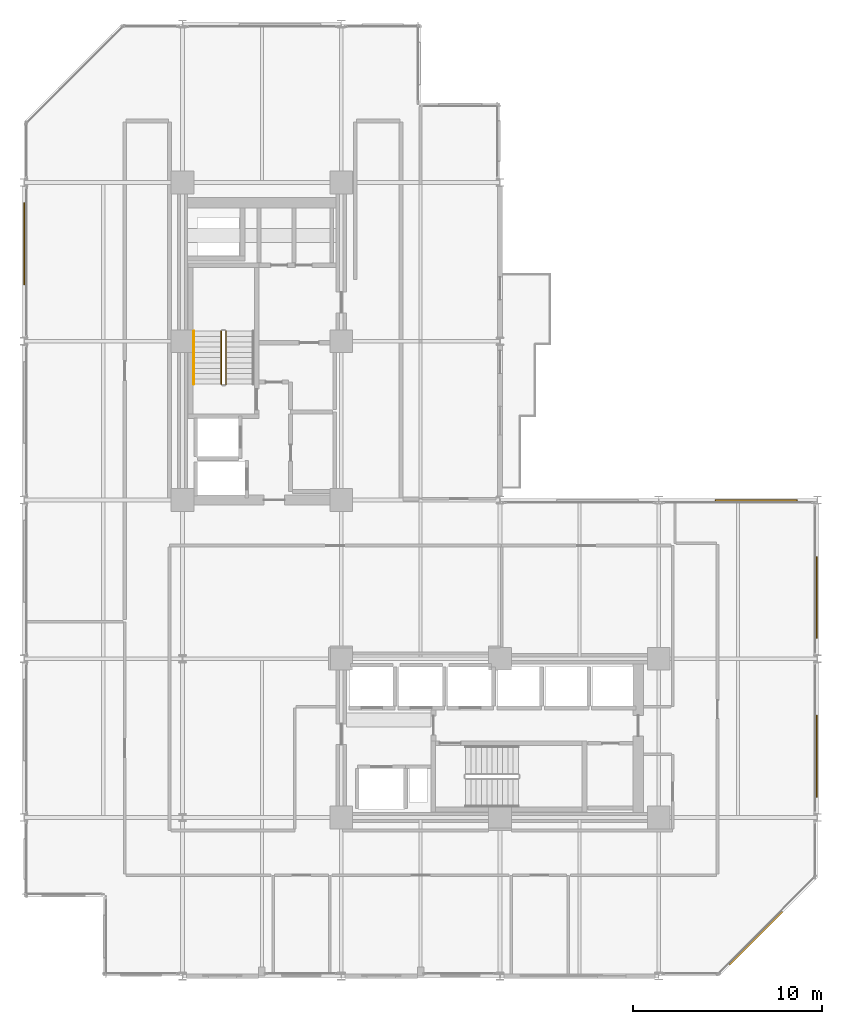
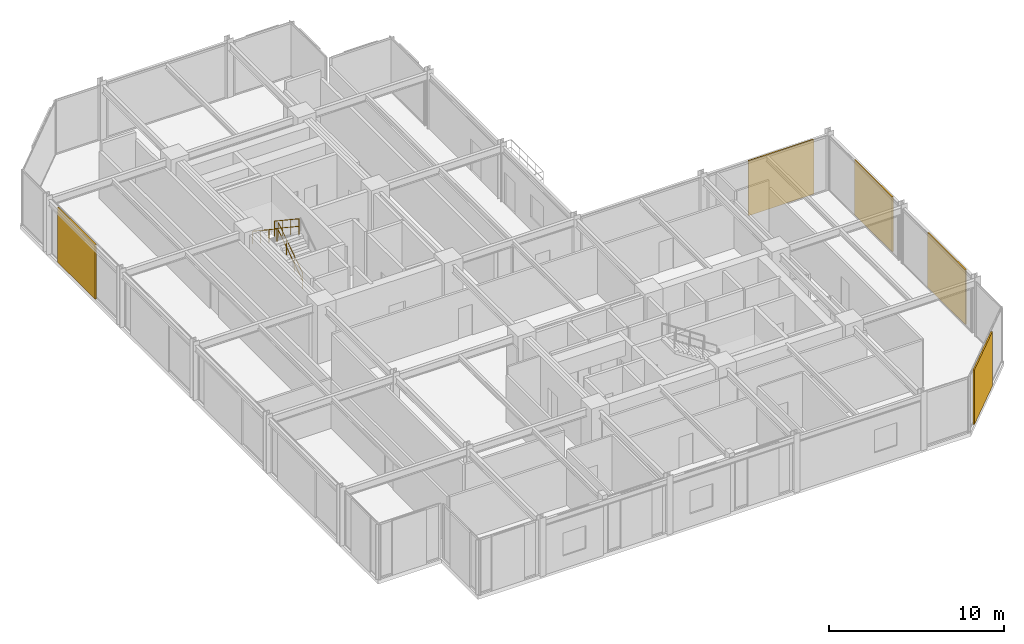
# One storey, part 28 of 29: 5 coverings, 3 railings.
"""IFC4 building model written with IfcOpenShell, lengths in metres."""

from ifc_helpers import new_model, si_unit, direction, frame, origin, origin_2d, place, context, subcontext, project, spatial, rectangle, circle, extrude, material, layer, layer_set, type_object, element, save


model = new_model("IFC4")

# Units and contexts
model_context = context("Model", 3, precision=1e-05, world=origin(), true_north=direction((0.0, 1.0)))
body_context = subcontext(model_context, "Body", "Model", "MODEL_VIEW")
ifc_project = project(units=[si_unit("LENGTHUNIT", "METRE"), si_unit("AREAUNIT", "SQUARE_METRE"), si_unit("VOLUMEUNIT", "CUBIC_METRE"), si_unit("PLANEANGLEUNIT", "RADIAN"), si_unit("MASSUNIT", "GRAM", prefix="KILO")], contexts=[model_context])

# Site, building, storey
site_placement = place(None, origin())
site = spatial("IfcSite", under=ifc_project, at=site_placement, CompositionType="ELEMENT")
building_placement = place(site_placement, origin())
building = spatial("IfcBuilding", under=site, at=building_placement, Name="Nerrivon Quay Data Exchange", CompositionType="ELEMENT")
storey_placement = place(building_placement, frame((0.0, 0.0, 121.300048828125)))
storey = spatial("IfcBuildingStorey", under=building, at=storey_placement, Name="L28", CompositionType="ELEMENT", Elevation=121.300048828125)

# Coverings
ifc_material_1 = material(Name="Architectural terracotta ceramic", Category="masonry")
ifc_layer = layer(ifc_material_1, 0.090087890625)
ifc_layer_set = layer_set([ifc_layer], Name="Architectural terracotta ceramic")
covering_type = type_object("IfcCoveringType", Name="COV-SCR-TERR", PredefinedType="CLADDING", material=ifc_layer_set)
covering_placement = place(storey_placement, frame((38.744140625, 2.0078125, 0.0), z_axis=(0.0, 0.0, 1.0), x_axis=(-0.707106781187, -0.707106781187, 0.0)))
element("IfcCovering", 1, at=covering_placement, inside=storey, type_object=covering_type, Name="L28 Perforated Terracotta SOLAR SCREEN Cassette", PredefinedType="CLADDING", context=body_context, shape_type="SweptSolid", body=[
    extrude(rectangle(XDim=3.970947265625, YDim=0.090087890625, at=origin_2d()), origin(), (0.0, 0.0, 1.0), 3.824951171875),
])
for number, where, z_axis, x_axis, name in (
    (2, (0.044921875, 38.760009765625, 0.0), (0.0, 0.0, 1.0), (0.0, 1.0, 0.0), "L28 Perforated Terracotta SOLAR SCREEN Cassette"),
    (3, (38.760009765625, 25.155029296875, 0.0), (0.0, 0.0, 1.0), (1.0, 0.0, 0.0), "L28 Perforated Terracotta SOLAR SCREEN Cassette"),
    (4, (41.955078125, 20.0400390625, 0.0), (0.0, 0.0, 1.0), (0.0, -1.0, 0.0), "L28 Perforated Terracotta SOLAR SCREEN Cassette"),
    (5, (41.955078125, 11.639892578125, 0.0), (0.0, 0.0, 1.0), (0.0, -1.0, 0.0), "L28 Perforated Terracotta SOLAR SCREEN Cassette"),
):
    element("IfcCovering", number, at=place(storey_placement, frame(where, z_axis=z_axis, x_axis=x_axis)), inside=storey, type_object=covering_type, Name=name, PredefinedType="CLADDING", context=body_context, shape_type="SweptSolid", body=[
        extrude(rectangle(XDim=4.320068359375, YDim=0.090087890625, at=origin_2d()), origin(), (0.0, 0.0, 1.0), 3.824951171875),
    ])

# Railings
ifc_material_2 = material(Name="Steel Grade C350L0 (350 MPa)", Category="steel")
railing_type_1 = type_object("IfcRailingType", Name="RAIL-HAND-HR1", PredefinedType="HANDRAIL", material=ifc_material_2)
railing_1_placement = place(storey_placement, frame((9.0, 34.1298828125, 2.236328125)))
element("IfcRailing", 6, at=railing_1_placement, inside=storey, type_object=railing_type_1, Name="L28 ST01 stair handrail 2", PredefinedType="HANDRAIL", context=body_context, shape_type="SweptSolid", body=[
    extrude(circle(Radius=0.02392578125, at=origin_2d()), frame((0.0, 0.0, 0.8759765625), z_axis=(0.0, -0.832463268671, 0.554080234545), x_axis=(1.0, 0.0, 0.0)), (0.0, 0.0, 1.0), 3.36328125),
    extrude(circle(Radius=0.02099609375, at=origin_2d()), origin(), (0.0, 0.0, 1.0), 0.851806640625),
    extrude(circle(Radius=0.02099609375, at=origin_2d()), frame((0.0, -0.933349609375, 0.62109375)), (0.0, 0.0, 1.0), 0.851806640625),
    extrude(circle(Radius=0.02099609375, at=origin_2d()), frame((0.0, -1.866455078125, 1.242431640625)), (0.0, 0.0, 1.0), 0.851806640625),
    extrude(circle(Radius=0.02099609375, at=origin_2d()), frame((0.0, -2.7998046875, 1.863525390625)), (0.0, 0.0, 1.0), 0.851806640625),
])
railing_type_2 = type_object("IfcRailingType", Name="RAIL-STAIR-GR1", PredefinedType="BALUSTRADE", material=ifc_material_2)
railing_2_placement = place(storey_placement, frame((10.699951171875, 31.330078125, 0.186279296875)))
element("IfcRailing", 7, at=railing_2_placement, inside=storey, type_object=railing_type_2, Name="L28 ST01 stair guard 1", PredefinedType="BALUSTRADE", context=body_context, shape_type="SweptSolid", body=[
    extrude(circle(Radius=0.02392578125, at=origin_2d()), frame((0.0, 0.0, 1.076171875), z_axis=(0.0, 0.832429786209, 0.554130536094), x_axis=(-1.0, 0.0, 0.0)), (0.0, 0.0, 1.0), 3.363525390625),
    extrude(circle(Radius=0.02392578125, at=origin_2d()), frame((0.0, 0.0, 0.550048828125), z_axis=(0.0, 0.832429786209, 0.554130536094), x_axis=(-1.0, 0.0, 0.0)), (0.0, 0.0, 1.0), 3.363525390625),
    extrude(circle(Radius=0.02099609375, at=origin_2d()), origin(), (0.0, 0.0, 1.0), 1.052001953125),
    extrude(circle(Radius=0.02099609375, at=origin_2d()), frame((0.0, 0.933349609375, 0.621337890625)), (0.0, 0.0, 1.0), 1.052001953125),
    extrude(circle(Radius=0.02099609375, at=origin_2d()), frame((0.0, 1.866455078125, 1.242431640625)), (0.0, 0.0, 1.0), 1.052001953125),
    extrude(circle(Radius=0.02099609375, at=origin_2d()), frame((0.0, 2.7998046875, 1.86376953125)), (0.0, 0.0, 1.0), 1.052001953125),
])
railing_3_placement = place(storey_placement, frame((10.449951171875, 34.1298828125, 2.236328125)))
element("IfcRailing", 8, at=railing_3_placement, inside=storey, type_object=railing_type_2, Name="L28 ST01 stair guard 3", PredefinedType="BALUSTRADE", context=body_context, shape_type="SweptSolid", body=[
    extrude(circle(Radius=0.02392578125, at=origin_2d()), frame((0.0, 0.0, 1.076171875), z_axis=(0.0, -0.832463268671, 0.554080234545), x_axis=(1.0, 0.0, 0.0)), (0.0, 0.0, 1.0), 3.36328125),
    extrude(circle(Radius=0.02392578125, at=origin_2d()), frame((0.0, 0.0, 0.550048828125), z_axis=(0.0, -0.832463268671, 0.554080234545), x_axis=(1.0, 0.0, 0.0)), (0.0, 0.0, 1.0), 3.36328125),
    extrude(circle(Radius=0.02099609375, at=origin_2d()), origin(), (0.0, 0.0, 1.0), 1.052001953125),
    extrude(circle(Radius=0.02099609375, at=origin_2d()), frame((0.0, -0.933349609375, 0.62109375)), (0.0, 0.0, 1.0), 1.052001953125),
    extrude(circle(Radius=0.02099609375, at=origin_2d()), frame((0.0, -1.866455078125, 1.242431640625)), (0.0, 0.0, 1.0), 1.052001953125),
    extrude(circle(Radius=0.02099609375, at=origin_2d()), frame((0.0, -2.7998046875, 1.863525390625)), (0.0, 0.0, 1.0), 1.052001953125),
])

save(model, "model.ifc")
